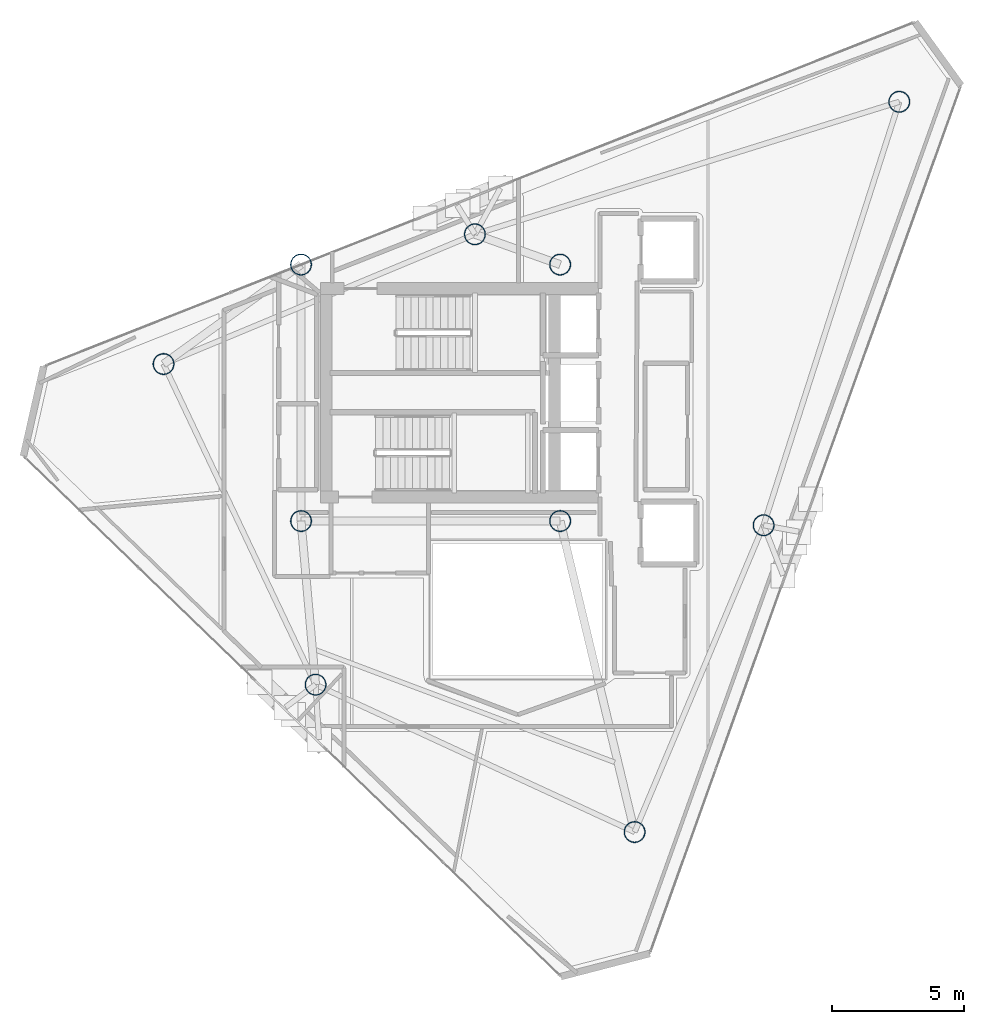
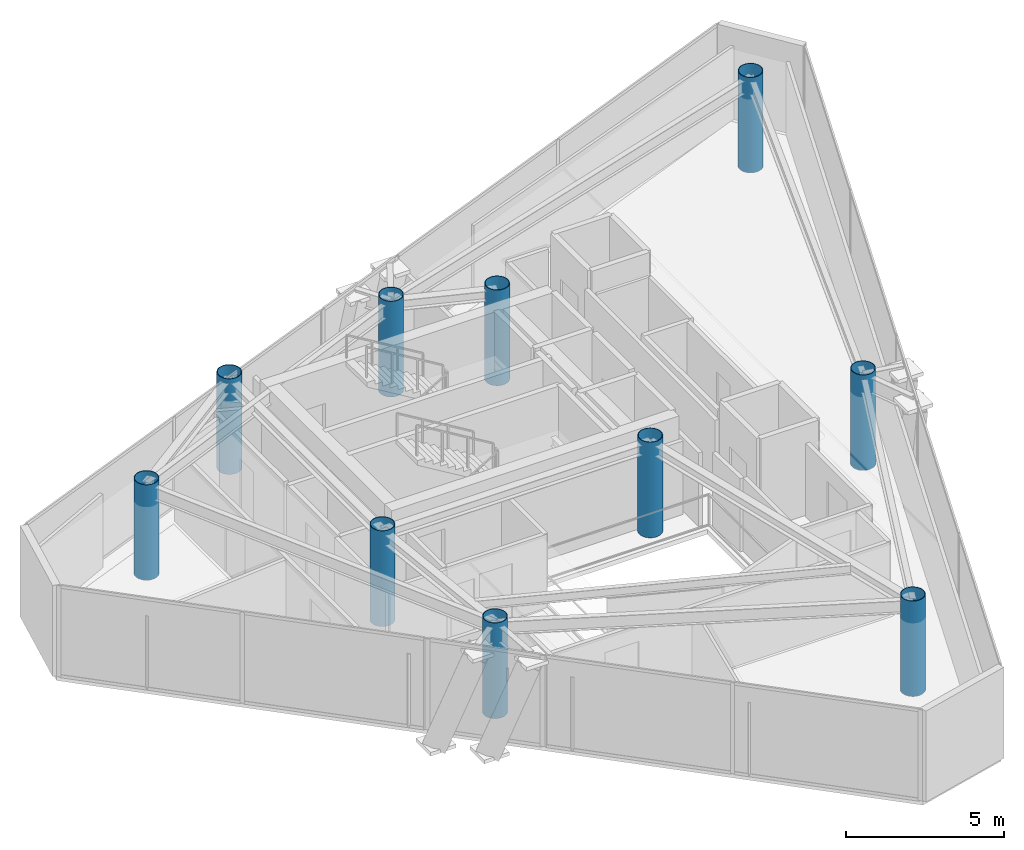
# One storey, part 1 of 19: 10 columns.
"""IFC4 building model written with IfcOpenShell, lengths in metres."""

import ifcopenshell
import ifcopenshell.guid

model = None  # the IFC model being written
_history = None  # IfcOwnerHistory: only IFC2X3 demands one
_inside = {}  # id of a spatial element -> (the spatial element, [elements in it])
_under = {}  # id of a project, library or spatial element -> (it, [spatial elements below it])
_declared = {}  # id of a project -> (the project, [libraries it declares])
_typed = {}  # id of a type object -> (the type object, [elements of that type])
_made_of = {}  # id of a material, layer set ... -> (it, [elements and type objects made of it])


def new_model(schema):
    """Start an empty IFC model of exactly this schema.

    Asked for "IFC4X3", IfcOpenShell would pick the latest addendum, in which some entities
    have other attributes; the version numbers below select the first issue.
    IFC2X3 requires an IfcOwnerHistory on every rooted entity: one is made here for all.
    """
    global model, _history
    if schema == "IFC4X3":
        model = ifcopenshell.file(schema_version=(4, 3, 0, 0))
    else:
        model = ifcopenshell.file(schema=schema)
    _inside.clear()
    _under.clear()
    _declared.clear()
    _typed.clear()
    _made_of.clear()
    _history = None
    if model.schema == "IFC2X3":
        org = make("IfcOrganization", Name="unknown")
        user = make(
            "IfcPersonAndOrganization",
            ThePerson=make("IfcPerson", FamilyName="unknown"),
            TheOrganization=org,
        )
        app = make(
            "IfcApplication",
            ApplicationDeveloper=org,
            Version="unknown",
            ApplicationFullName="unknown",
            ApplicationIdentifier="unknown",
        )
        _history = make(
            "IfcOwnerHistory",
            OwningUser=user,
            OwningApplication=app,
            ChangeAction="ADDED",
            CreationDate=0,
        )
    return model


def make(cls, **values):
    """One entity of the class cls with the attributes given. An attribute that is None is left unset."""
    return model.create_entity(
        cls, **{name: value for name, value in values.items() if value is not None}
    )


def rooted(cls, **values):
    """An entity with a GlobalId (a new one), such as an element, a storey or a relation."""
    return make(cls, GlobalId=ifcopenshell.guid.new(), OwnerHistory=_history, **values)


def si_unit(unit_type, name, prefix=None):
    """IfcSIUnit, for example si_unit("LENGTHUNIT", "METRE", prefix="MILLI")."""
    return make("IfcSIUnit", UnitType=unit_type, Prefix=prefix, Name=name)


def assignment(units):
    """IfcUnitAssignment: the units of a project."""
    return None if units is None else make("IfcUnitAssignment", Units=units)


def point(xyz):
    """IfcCartesianPoint."""
    return None if xyz is None else make("IfcCartesianPoint", Coordinates=xyz)


def direction(xyz):
    """IfcDirection."""
    return None if xyz is None else make("IfcDirection", DirectionRatios=xyz)


def frame(location, z_axis=None, x_axis=None):
    """IfcAxis2Placement3D, a coordinate frame: its origin and axes. An axis left out is left unset."""
    return make(
        "IfcAxis2Placement3D",
        Location=point(location),
        Axis=direction(z_axis),
        RefDirection=direction(x_axis),
    )


def frame_2d(location, x_axis=None):
    """IfcAxis2Placement2D, a coordinate frame in the plane: its origin and x axis."""
    return make(
        "IfcAxis2Placement2D", Location=point(location), RefDirection=direction(x_axis)
    )


def origin():
    """The frame at (0, 0, 0) with its axes left unset."""
    return frame((0.0, 0.0, 0.0))


def origin_2d():
    """The frame at (0, 0) in the plane with its x axis left unset."""
    return frame_2d((0.0, 0.0))


def place(relative_to, where):
    """IfcLocalPlacement: puts the frame where relative to a parent placement (None: the world)."""
    return make(
        "IfcLocalPlacement", PlacementRelTo=relative_to, RelativePlacement=where
    )


def context(
    kind, dimensions, precision=None, world=None, true_north=None, identifier=None
):
    """IfcGeometricRepresentationContext, for example the 3D "Model" context."""
    return make(
        "IfcGeometricRepresentationContext",
        ContextIdentifier=identifier,
        ContextType=kind,
        CoordinateSpaceDimension=dimensions,
        Precision=precision,
        WorldCoordinateSystem=world,
        TrueNorth=true_north,
    )


def subcontext(parent, identifier, kind, view, scale=None):
    """IfcGeometricRepresentationSubContext, for example "Body" below "Model"."""
    return make(
        "IfcGeometricRepresentationSubContext",
        ContextIdentifier=identifier,
        ContextType=kind,
        ParentContext=parent,
        TargetScale=scale,
        TargetView=view,
    )


def project(units=None, contexts=None):
    """IfcProject with its units and contexts."""
    return rooted(
        "IfcProject",
        Name="project",
        RepresentationContexts=contexts,
        UnitsInContext=assignment(units),
    )


def spatial(cls, under=None, at=None, **own):
    """A site, building, storey or space (cls), placed at a placement, below another one or the project."""
    s = rooted(cls, ObjectPlacement=at, **own)
    if under is not None:
        _under.setdefault(under.id(), (under, []))[1].append(s)
    return s


def profile(cls, at=None, kind="AREA", **sizes):
    """A parametric profile (cls). Its sizes go by their IFC names, for example OverallWidth=200.0."""
    return make(cls, ProfileType=kind, Position=at, **sizes)


def hollow_circle(**sizes):
    """IfcCircleHollowProfileDef."""
    return profile("IfcCircleHollowProfileDef", **sizes)


def extrude(swept, where, along, depth):
    """IfcExtrudedAreaSolid: the profile swept, set in the frame where, extruded along a direction by depth."""
    return make(
        "IfcExtrudedAreaSolid",
        SweptArea=swept,
        Position=where,
        ExtrudedDirection=direction(along),
        Depth=depth,
    )


def shape(context_of_items, identifier, shape_type, items):
    """IfcShapeRepresentation: the items that make up one representation, for example the "Body"."""
    return make(
        "IfcShapeRepresentation",
        ContextOfItems=context_of_items,
        RepresentationIdentifier=identifier,
        RepresentationType=shape_type,
        Items=items,
    )


def material(Name=None, Category=None):
    """IfcMaterial."""
    return make("IfcMaterial", Name=Name, Category=Category)


def material_profile(
    of_material, cross_section, Name=None, Category=None, Priority=None
):
    """IfcMaterialProfile: a cross section and its material."""
    return make(
        "IfcMaterialProfile",
        Name=Name,
        Material=of_material,
        Profile=cross_section,
        Priority=Priority,
        Category=Category,
    )


def profile_set(profiles, Name=None, composite=None):
    """IfcMaterialProfileSet."""
    return make(
        "IfcMaterialProfileSet",
        Name=Name,
        MaterialProfiles=profiles,
        CompositeProfile=composite,
    )


def made_of(thing, what):
    """Note that an element or type object is made of a material, layer set ...; save() writes the relation."""
    if what is not None:
        _made_of.setdefault(what.id(), (what, []))[1].append(thing)
    return thing


def type_object(cls, material=None, **own):
    """A type object (cls), such as IfcWallType, which elements share."""
    return made_of(rooted(cls, **own), material)


def element(
    cls,
    number,
    at=None,
    inside=None,
    cuts=None,
    type_object=None,
    material=None,
    context=None,
    identifier="Body",
    shape_type=None,
    held_by="IfcProductDefinitionShape",
    body=None,
    shapes=None,
    **own,
):
    """One element of the class cls, such as IfcWall. Its Tag is "e" and its number.

    at: its placement. inside: the storey or other place that contains it. cuts: it is an
    opening in that element (IfcRelVoidsElement). A single representation is given by context,
    identifier, shape_type and body (its items); several are given by shapes. held_by: the class
    of the entity that holds the representations. save() writes the other relations.
    """
    e = rooted(cls, Tag="e%d" % number, ObjectPlacement=at, **own)
    if body is not None:
        shapes = [shape(context, identifier, shape_type, body)]
    if shapes is not None:
        e.Representation = make(held_by, Representations=shapes)
    if inside is not None:
        _inside.setdefault(inside.id(), (inside, []))[1].append(e)
    if cuts is not None:
        rooted(
            "IfcRelVoidsElement", RelatingBuildingElement=cuts, RelatedOpeningElement=e
        )
    if type_object is not None:
        _typed.setdefault(type_object.id(), (type_object, []))[1].append(e)
    return made_of(e, material)


def aggregate(whole, parts):
    """IfcRelAggregates: a whole, such as a stair, and the parts it consists of."""
    return rooted("IfcRelAggregates", RelatingObject=whole, RelatedObjects=parts)


def save(model, path):
    """Write the relations noted so far, then the file.

    IfcRelAggregates (storeys below a building ...), IfcRelContainedInSpatialStructure (elements
    in a storey), IfcRelDefinesByType, IfcRelAssociatesMaterial and IfcRelDeclares: one each for
    every whole, place, type object, material and project.
    """
    for whole, parts in _under.values():
        aggregate(whole, parts)
    for where, things in _inside.values():
        rooted(
            "IfcRelContainedInSpatialStructure",
            RelatedElements=things,
            RelatingStructure=where,
        )
    for kind, things in _typed.values():
        rooted("IfcRelDefinesByType", RelatedObjects=things, RelatingType=kind)
    for what, things in _made_of.values():
        rooted("IfcRelAssociatesMaterial", RelatedObjects=things, RelatingMaterial=what)
    for by, libraries in _declared.values():
        rooted("IfcRelDeclares", RelatingContext=by, RelatedDefinitions=libraries)
    model.write(path)


model = new_model("IFC4")

# Units and contexts
model_context = context("Model", 3, precision=1e-05, world=origin(), true_north=direction((0.0, 1.0)))
body_context = subcontext(model_context, "Body", "Model", "MODEL_VIEW")
ifc_project = project(units=[si_unit("LENGTHUNIT", "METRE"), si_unit("AREAUNIT", "SQUARE_METRE"), si_unit("VOLUMEUNIT", "CUBIC_METRE"), si_unit("PLANEANGLEUNIT", "RADIAN"), si_unit("MASSUNIT", "GRAM", prefix="KILO")], contexts=[model_context])

# Site, building, storey
site_placement = place(None, origin())
site = spatial("IfcSite", under=ifc_project, at=site_placement, CompositionType="ELEMENT")
building_placement = place(site_placement, origin())
building = spatial("IfcBuilding", under=site, at=building_placement, Name="Qianvela Tower", CompositionType="ELEMENT")
storey_placement = place(building_placement, frame((0.0, 0.0, 344.39990234375)))
storey = spatial("IfcBuildingStorey", under=building, at=storey_placement, Name="L89", CompositionType="ELEMENT", Elevation=344.39990234375)

# Columns
ifc_material = material(Name="Steel Q420GJC", Category="steel")
ifc_material_profile = material_profile(ifc_material, hollow_circle(Radius=0.39990234375, WallThickness=0.02197265625, at=origin_2d()), Name="CFT-800x22")
ifc_profile_set = profile_set([ifc_material_profile], Name="Steel Q420GJC")
column_type = type_object("IfcColumnType", Name="COL-CFT-800x22", PredefinedType="COLUMN", material=ifc_profile_set)
for number, where, z_axis, x_axis, name in (
    (1, (28.60009765625, 33.550048828125, 0.0), (0.0, 0.0, 1.0), (1.0, 0.0, 0.0), "L89 Core Corner Mega-Column CC-NW"),
    (2, (28.60009765625, 23.85009765625, 0.0), (0.0, 0.0, 1.0), (1.0, 0.0, 0.0), "L89 Core Corner Mega-Column CC-SW"),
    (3, (38.39990234375, 33.550048828125, 0.0), (0.0, 0.0, 1.0), (1.0, 0.0, 0.0), "L89 Core Corner Mega-Column CC-NE"),
    (4, (38.39990234375, 23.85009765625, 0.0), (0.0, 0.0, 1.0), (1.0, 0.0, 0.0), "L89 Core Corner Mega-Column CC-SE"),
    (5, (51.22705078125, 39.7080078125, 0.0), (0.0, 0.0, 1.0), (1.0, 0.0, 0.0), "L89 Zone Z8 CFT Mega-Column C1"),
    (6, (35.177001953125, 34.695068359375, 0.0), (0.0, 0.0, 1.0), (1.0, 0.0, 0.0), "L89 Zone Z8 CFT Mega-Column C2"),
    (7, (23.39990234375, 29.7890625, 0.0), (0.0, 0.0, 1.0), (1.0, 0.0, 0.0), "L89 Zone Z8 CFT Mega-Column C3"),
    (8, (29.14990234375, 17.662109375, 0.0), (0.0, 0.0, 1.0), (1.0, 0.0, 0.0), "L89 Zone Z8 CFT Mega-Column C4"),
    (9, (41.217041015625, 12.087890625, 0.0), (0.0, 0.0, 1.0), (1.0, 0.0, 0.0), "L89 Zone Z8 CFT Mega-Column C5"),
    (10, (46.094970703125, 23.69091796875, 0.0), (0.0, 0.0, 1.0), (1.0, 0.0, 0.0), "L89 Zone Z8 CFT Mega-Column C6"),
):
    element("IfcColumn", number, at=place(storey_placement, frame(where, z_axis=z_axis, x_axis=x_axis)), inside=storey, type_object=column_type, Name=name, PredefinedType="COLUMN", context=body_context, shape_type="SweptSolid", body=[
        extrude(hollow_circle(Radius=0.39990234375, WallThickness=0.02197265625, at=origin_2d()), origin(), (0.0, 0.0, 1.0), 3.7001953125),
    ])

save(model, "model.ifc")
